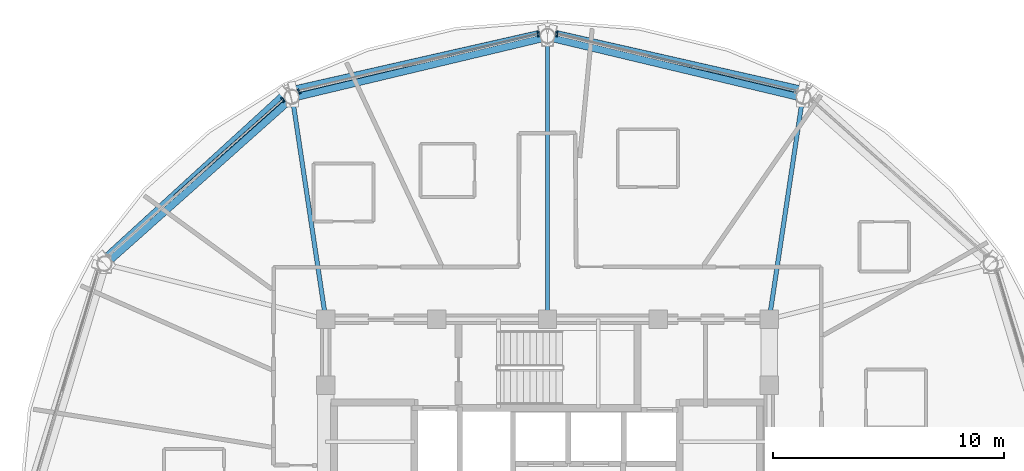
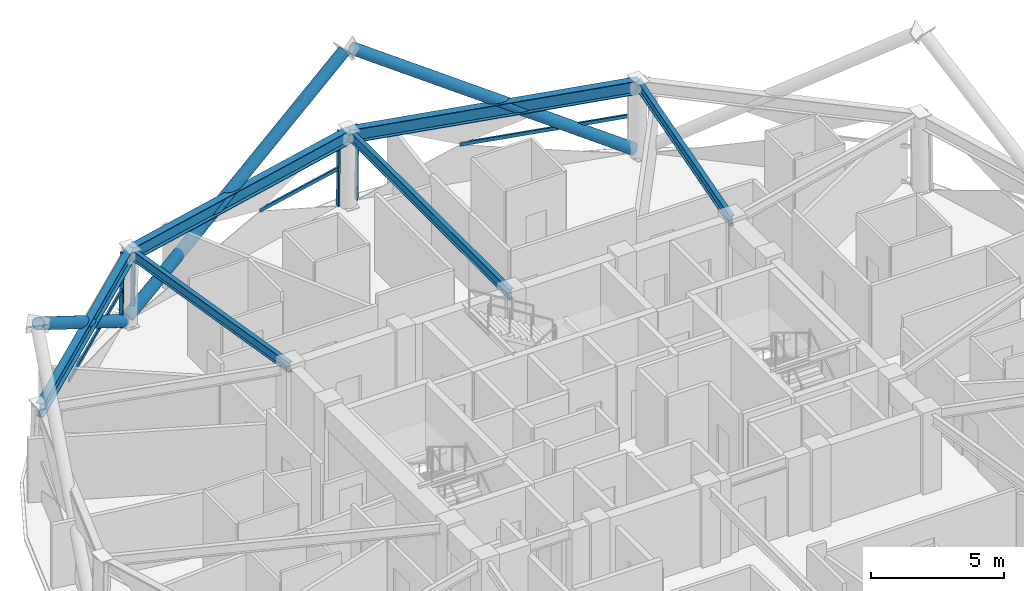
# One storey, part 6 of 18: 10 members, 6 beams, 3 elements without a shape of their own.
"""IFC4 building model written with IfcOpenShell, lengths in metres."""

from ifc_helpers import new_model, si_unit, direction, frame, origin, origin_2d, place, context, subcontext, project, spatial, hollow_rectangle, hollow_circle, i_section, extrude, material, layer, layer_set, material_profile, profile_set, type_object, element, aggregate, save


model = new_model("IFC4")

# Units and contexts
model_context = context("Model", 3, precision=1e-05, world=origin(), true_north=direction((0.0, 1.0)))
body_context = subcontext(model_context, "Body", "Model", "MODEL_VIEW")
ifc_project = project(units=[si_unit("LENGTHUNIT", "METRE"), si_unit("AREAUNIT", "SQUARE_METRE"), si_unit("VOLUMEUNIT", "CUBIC_METRE"), si_unit("PLANEANGLEUNIT", "RADIAN"), si_unit("MASSUNIT", "GRAM", prefix="KILO")], contexts=[model_context])

# Site, building, storey
site_placement = place(None, origin())
site = spatial("IfcSite", under=ifc_project, at=site_placement, CompositionType="ELEMENT")
building_placement = place(site_placement, origin())
building = spatial("IfcBuilding", under=site, at=building_placement, Name="Vantalir Tower", CompositionType="ELEMENT")
storey_placement = place(building_placement, frame((0.0, 0.0, 212.39990234375)))
storey = spatial("IfcBuildingStorey", under=building, at=storey_placement, Name="L53", CompositionType="ELEMENT", Elevation=212.39990234375)

# Beams
ifc_material_1 = material(Name="Steel S355", Category="steel")
ifc_material_profile_1 = material_profile(ifc_material_1, i_section(OverallWidth=0.19189453125, OverallDepth=0.462890625, WebThickness=0.010498046875, FlangeThickness=0.017578125, at=origin_2d()), Name="Steel S355")
ifc_profile_set_1 = profile_set([ifc_material_profile_1], Name="Steel S355")
beam_type_1 = type_object("IfcBeamType", Name="BM-RB-457x191", PredefinedType="BEAM", material=ifc_profile_set_1)
beam_1_placement = place(storey_placement, frame((42.5439453125, 42.027099609375, 3.338134765625), z_axis=(-0.149075055443, -0.988825883482, 0.0), x_axis=(0.988825883482, -0.149075055443, 0.0)))
element("IfcBeam", 1, at=beam_1_placement, inside=storey, type_object=beam_type_1, Name="L53 Radial Floor Beam 03", PredefinedType="BEAM", context=body_context, shape_type="SweptSolid", body=[
    extrude(i_section(OverallWidth=0.19189453125, OverallDepth=0.462890625, WebThickness=0.010498046875, FlangeThickness=0.017578125, at=origin_2d()), origin(), (0.0, 0.0, 1.0), 9.685302734375),
])
beam_2_placement = place(storey_placement, frame((31.5, 44.660888671875, 3.338134765625), z_axis=(0.0, -1.0, 0.0), x_axis=(1.0, 0.0, 0.0)))
element("IfcBeam", 2, at=beam_2_placement, inside=storey, type_object=beam_type_1, Name="L53 Radial Floor Beam 04", PredefinedType="BEAM", context=body_context, shape_type="SweptSolid", body=[
    extrude(i_section(OverallWidth=0.19189453125, OverallDepth=0.462890625, WebThickness=0.010498046875, FlangeThickness=0.017578125, at=origin_2d()), origin(), (0.0, 0.0, 1.0), 12.2109375),
])
beam_3_placement = place(storey_placement, frame((20.45703125, 42.027099609375, 3.338134765625), z_axis=(0.148976465392, -0.988840741859, 0.0), x_axis=(0.988840741859, 0.148976465392, 0.0)))
element("IfcBeam", 3, at=beam_3_placement, inside=storey, type_object=beam_type_1, Name="L53 Radial Floor Beam 05", PredefinedType="BEAM", context=body_context, shape_type="SweptSolid", body=[
    extrude(i_section(OverallWidth=0.19189453125, OverallDepth=0.462890625, WebThickness=0.010498046875, FlangeThickness=0.017578125, at=origin_2d()), origin(), (0.0, 0.0, 1.0), 9.685302734375),
])
ifc_material_2 = material(Name="Steel S460", Category="steel")
ifc_material_profile_2 = material_profile(ifc_material_2, i_section(OverallWidth=0.306884765625, OverallDepth=0.6201171875, WebThickness=0.01416015625, FlangeThickness=0.023681640625, at=origin_2d()), Name="Steel S460")
ifc_profile_set_2 = profile_set([ifc_material_profile_2], Name="Steel S460")
beam_type_2 = type_object("IfcBeamType", Name="BM-RG-610x305", PredefinedType="USERDEFINED", material=ifc_profile_set_2)
beam_4_placement = place(storey_placement, frame((42.5439453125, 42.027099609375, 3.260009765625), z_axis=(-0.972721243769, 0.23197711508, 0.0), x_axis=(-0.23197711508, -0.972721243769, 0.0)))
element("IfcBeam", 4, at=beam_4_placement, inside=storey, type_object=beam_type_2, Name="L53 Circumferential Ring Girder 03", ObjectType="GIRDER", PredefinedType="USERDEFINED", context=body_context, shape_type="SweptSolid", body=[
    extrude(i_section(OverallWidth=0.306884765625, OverallDepth=0.6201171875, WebThickness=0.01416015625, FlangeThickness=0.023681640625, at=origin_2d()), origin(), (0.0, 0.0, 1.0), 11.353759765625),
])
beam_5_placement = place(storey_placement, frame((31.5, 44.660888671875, 3.260009765625), z_axis=(-0.972716614536, -0.231996525416, 0.0), x_axis=(0.231996525416, -0.972716614536, 0.0)))
element("IfcBeam", 5, at=beam_5_placement, inside=storey, type_object=beam_type_2, Name="L53 Circumferential Ring Girder 04", ObjectType="GIRDER", PredefinedType="USERDEFINED", context=body_context, shape_type="SweptSolid", body=[
    extrude(i_section(OverallWidth=0.306884765625, OverallDepth=0.6201171875, WebThickness=0.01416015625, FlangeThickness=0.023681640625, at=origin_2d()), origin(), (0.0, 0.0, 1.0), 11.352783203125),
])
beam_6_placement = place(storey_placement, frame((20.45703125, 42.027099609375, 3.260009765625), z_axis=(-0.746932515147, -0.664899855479, 0.0), x_axis=(0.664899855479, -0.746932515147, 0.0)))
element("IfcBeam", 6, at=beam_6_placement, inside=storey, type_object=beam_type_2, Name="L53 Circumferential Ring Girder 05", ObjectType="GIRDER", PredefinedType="USERDEFINED", context=body_context, shape_type="SweptSolid", body=[
    extrude(i_section(OverallWidth=0.306884765625, OverallDepth=0.6201171875, WebThickness=0.01416015625, FlangeThickness=0.023681640625, at=origin_2d()), origin(), (0.0, 0.0, 1.0), 10.82421875),
])

# Curtain wall, member
ifc_material_3 = material(Name="Champagne-silver PVDF aluminium and double-silver Low-E glass", Category="aluminium")
ifc_layer = layer(ifc_material_3, 0.2099609375)
ifc_layer_set = layer_set([ifc_layer], Name="Champagne-silver PVDF aluminium and double-silver Low-E glass")
curtain_wall_type = type_object("IfcCurtainWallType", Name="CW-DIAMOND-Z3", PredefinedType="USERDEFINED", material=ifc_layer_set)
curtain_wall_1_placement = place(storey_placement, origin())
curtain_wall_1 = element("IfcCurtainWall", 7, at=curtain_wall_1_placement, inside=storey, type_object=curtain_wall_type, Name="L53 Quilted Pyramid-Diamond Curtain Wall S03", ObjectType="UNITISED CURTAIN WALL", PredefinedType="USERDEFINED")
ifc_material_4 = material(Name="Champagne-silver PVDF aluminium 6063-T6", Category="aluminium")
ifc_material_profile_3 = material_profile(ifc_material_4, hollow_rectangle(XDim=0.070068359375, YDim=0.1650390625, WallThickness=0.00390625, at=origin_2d()), Name="Champagne-silver PVDF aluminium 6063-T6")
ifc_profile_set_3 = profile_set([ifc_material_profile_3], Name="Champagne-silver PVDF aluminium 6063-T6")
member_type_1 = type_object("IfcMemberType", Name="CWM-165x70", PredefinedType="MULLION", material=ifc_profile_set_3)
member_1_placement = place(storey_placement, frame((31.89892578125, 44.822021484375, 0.045166015625), z_axis=(0.0, -0.018938654052, 0.999820647608), x_axis=(1.0, 0.0, 0.0)))
member_1 = element("IfcMember", 8, at=member_1_placement, type_object=member_type_1, Name="CW-L53-S03 Mullion 2", PredefinedType="MULLION", context=body_context, shape_type="SweptSolid", body=[
    extrude(hollow_rectangle(XDim=0.070068359375, YDim=0.1650390625, WallThickness=0.00390625, at=origin_2d()), origin(), (0.0, 0.0, 1.0), 3.480712890625),
])

# Curtain wall, members
curtain_wall_2_placement = place(storey_placement, origin())
curtain_wall_2 = element("IfcCurtainWall", 9, at=curtain_wall_2_placement, inside=storey, type_object=curtain_wall_type, Name="L53 Quilted Pyramid-Diamond Curtain Wall S04", ObjectType="UNITISED CURTAIN WALL", PredefinedType="USERDEFINED")
member_2_placement = place(storey_placement, frame((31.10107421875, 44.822021484375, 0.045166015625), z_axis=(0.0, -0.018938654052, 0.999820647608), x_axis=(1.0, 0.0, 0.0)))
member_2 = element("IfcMember", 10, at=member_2_placement, type_object=member_type_1, Name="CW-L53-S04 Mullion 1", PredefinedType="MULLION", context=body_context, shape_type="SweptSolid", body=[
    extrude(hollow_rectangle(XDim=0.070068359375, YDim=0.1650390625, WallThickness=0.00390625, at=origin_2d()), origin(), (0.0, 0.0, 1.0), 3.480712890625),
])
member_3_placement = place(storey_placement, frame((20.72412109375, 42.343994140625, 0.045166015625), z_axis=(0.010591447106, -0.016693804048, 0.999804549977), x_axis=(0.844391149061, 0.535727157598, 0.0)))
member_3 = element("IfcMember", 11, at=member_3_placement, type_object=member_type_1, Name="CW-L53-S04 Mullion 2", PredefinedType="MULLION", context=body_context, shape_type="SweptSolid", body=[
    extrude(hollow_rectangle(XDim=0.070068359375, YDim=0.1650390625, WallThickness=0.00390625, at=origin_2d()), origin(), (0.0, 0.0, 1.0), 3.480712890625),
])

# Curtain wall, member
curtain_wall_3_placement = place(storey_placement, origin())
curtain_wall_3 = element("IfcCurtainWall", 12, at=curtain_wall_3_placement, inside=storey, type_object=curtain_wall_type, Name="L53 Quilted Pyramid-Diamond Curtain Wall S05", ObjectType="UNITISED CURTAIN WALL", PredefinedType="USERDEFINED")
member_4_placement = place(storey_placement, frame((20.01904296875, 41.97607421875, 0.045166015625), z_axis=(0.010591447106, -0.016693804048, 0.999804549977), x_axis=(0.844391149061, 0.535727157598, 0.0)))
member_4 = element("IfcMember", 13, at=member_4_placement, type_object=member_type_1, Name="CW-L53-S05 Mullion 1", PredefinedType="MULLION", context=body_context, shape_type="SweptSolid", body=[
    extrude(hollow_rectangle(XDim=0.070068359375, YDim=0.1650390625, WallThickness=0.00390625, at=origin_2d()), origin(), (0.0, 0.0, 1.0), 3.480712890625),
])

# Member
ifc_material_profile_4 = material_profile(ifc_material_4, hollow_rectangle(XDim=0.074951171875, YDim=0.159912109375, WallThickness=0.00390625, at=origin_2d()), Name="Champagne-silver PVDF aluminium 6063-T6")
ifc_profile_set_4 = profile_set([ifc_material_profile_4], Name="Champagne-silver PVDF aluminium 6063-T6")
member_type_2 = type_object("IfcMemberType", Name="CWT-160x75", PredefinedType="USERDEFINED", material=ifc_profile_set_4)
member_5_placement = place(storey_placement, frame((42.259033203125, 42.31494140625, 1.78515625), z_axis=(-0.97180648449, 0.235779890371, 0.0), x_axis=(-0.235779890371, -0.97180648449, 0.0)))
member_5 = element("IfcMember", 14, at=member_5_placement, type_object=member_type_2, Name="CW-L53-S03 Pyramid Fold Ridge Transom", ObjectType="TRANSOM", PredefinedType="USERDEFINED", context=body_context, shape_type="SweptSolid", body=[
    extrude(hollow_rectangle(XDim=0.074951171875, YDim=0.159912109375, WallThickness=0.00390625, at=origin_2d()), origin(), (0.0, 0.0, 1.0), 6.604248046875),
])

aggregate(curtain_wall_1, [member_1, member_5])

member_6_placement = place(storey_placement, frame((31.10107421875, 44.7890625, 1.78515625), z_axis=(-0.973996264917, -0.226564065834, 0.0), x_axis=(0.226564065834, -0.973996264917, 0.0)))
member_6 = element("IfcMember", 15, at=member_6_placement, type_object=member_type_2, Name="CW-L53-S04 Pyramid Fold Ridge Transom", ObjectType="TRANSOM", PredefinedType="USERDEFINED", context=body_context, shape_type="SweptSolid", body=[
    extrude(hollow_rectangle(XDim=0.074951171875, YDim=0.159912109375, WallThickness=0.00390625, at=origin_2d()), origin(), (0.0, 0.0, 1.0), 4.04736328125),
])

aggregate(curtain_wall_2, [member_2, member_3, member_6])

member_7_placement = place(storey_placement, frame((20.037109375, 41.947021484375, 1.78515625), z_axis=(-0.749116792897, -0.662437944716, 0.0), x_axis=(0.662437944716, -0.749116792897, 0.0)))
member_7 = element("IfcMember", 16, at=member_7_placement, type_object=member_type_2, Name="CW-L53-S05 Pyramid Fold Ridge Transom", ObjectType="TRANSOM", PredefinedType="USERDEFINED", context=body_context, shape_type="SweptSolid", body=[
    extrude(hollow_rectangle(XDim=0.074951171875, YDim=0.159912109375, WallThickness=0.00390625, at=origin_2d()), origin(), (0.0, 0.0, 1.0), 6.2783203125),
])

aggregate(curtain_wall_3, [member_4, member_7])

# Members
ifc_material_profile_5 = material_profile(ifc_material_2, hollow_circle(Radius=0.25, WallThickness=0.031982421875, at=origin_2d()), Name="Steel S460")
ifc_profile_set_5 = profile_set([ifc_material_profile_5], Name="Steel S460")
member_type_3 = type_object("IfcMemberType", Name="MEM-DB-500x32", PredefinedType="BRACE", material=ifc_profile_set_5)
member_8_placement = place(storey_placement, frame((42.493896484375, 42.2900390625, 0.197021484375), z_axis=(-0.827064727535, 0.187801176446, 0.529806242502), x_axis=(-0.221432653639, -0.975175666176, 0.0)))
element("IfcMember", 17, at=member_8_placement, inside=storey, type_object=member_type_3, Name="L53 Perimeter S460 Diagrid Brace R07L", PredefinedType="BRACE", context=body_context, shape_type="SweptSolid", body=[
    extrude(hollow_circle(Radius=0.25, WallThickness=0.031982421875, at=origin_2d()), origin(), (0.0, 0.0, 1.0), 13.07275390625),
])
member_9_placement = place(storey_placement, frame((20.18896484375, 42.125, 0.201171875), z_axis=(-0.61722001447, -0.563827413677, 0.548760513634), x_axis=(0.674451159847, -0.738319465395, 0.0)))
element("IfcMember", 18, at=member_9_placement, inside=storey, type_object=member_type_3, Name="L53 Perimeter S460 Diagrid Brace R13L", PredefinedType="BRACE", context=body_context, shape_type="SweptSolid", body=[
    extrude(hollow_circle(Radius=0.25, WallThickness=0.031982421875, at=origin_2d()), origin(), (0.0, 0.0, 1.0), 12.6064453125),
])
member_10_placement = place(storey_placement, frame((20.507080078125, 42.2900390625, 0.197021484375), z_axis=(0.827041122165, 0.187812780012, 0.529838977343), x_axis=(-0.22145167481, 0.975171346853, 0.0)))
element("IfcMember", 19, at=member_10_placement, inside=storey, type_object=member_type_3, Name="L53 Perimeter S460 Diagrid Brace R13R", PredefinedType="BRACE", context=body_context, shape_type="SweptSolid", body=[
    extrude(hollow_circle(Radius=0.25, WallThickness=0.031982421875, at=origin_2d()), origin(), (0.0, 0.0, 1.0), 13.072021484375),
])

save(model, "model.ifc")
